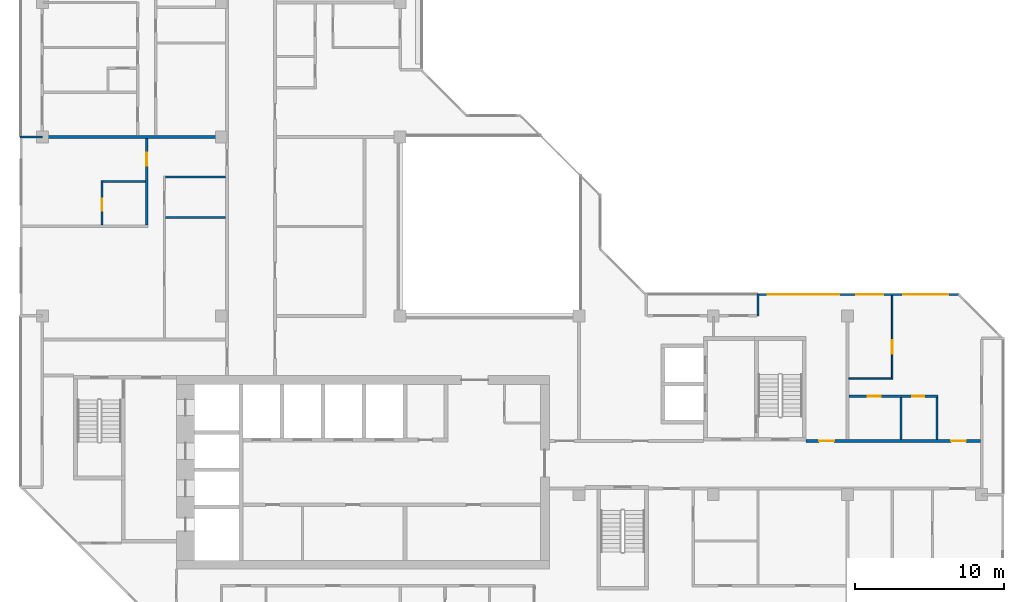
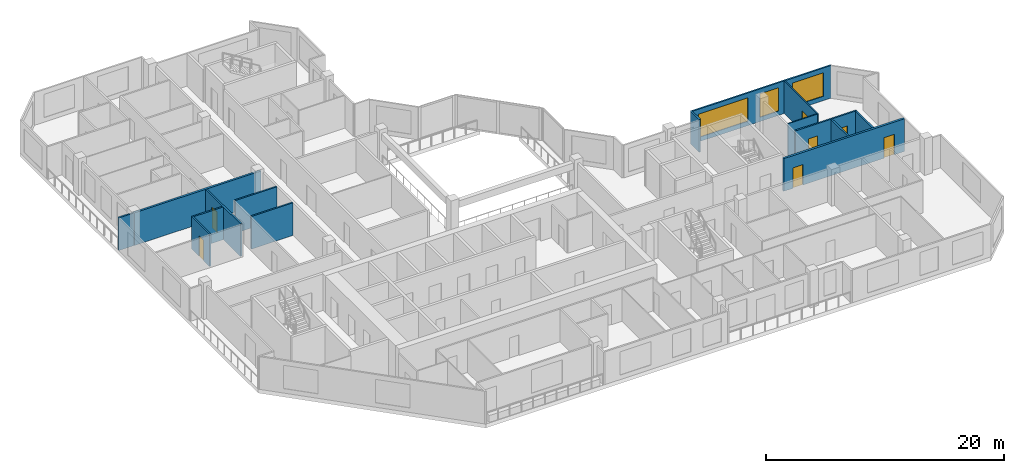
# One storey, part 8 of 13: 15 walls, 7 doors, 3 windows, 10 openings.
"""IFC4 building model written with IfcOpenShell, lengths in metres."""

from ifc_helpers import new_model, si_unit, direction, frame, frame_2d, origin, place, context, subcontext, project, spatial, rectangle, extrude, material, layer, layer_set, type_object, element, fill, save


model = new_model("IFC4")

# Units and contexts
model_context = context("Model", 3, precision=1e-05, world=origin(), true_north=direction((0.0, 1.0)))
body_context = subcontext(model_context, "Body", "Model", "MODEL_VIEW")
ifc_project = project(units=[si_unit("LENGTHUNIT", "METRE"), si_unit("AREAUNIT", "SQUARE_METRE"), si_unit("VOLUMEUNIT", "CUBIC_METRE"), si_unit("PLANEANGLEUNIT", "RADIAN"), si_unit("MASSUNIT", "GRAM", prefix="KILO")], contexts=[model_context])

# Site, building, storey
site_placement = place(None, origin())
site = spatial("IfcSite", under=ifc_project, at=site_placement, CompositionType="ELEMENT")
building_placement = place(site_placement, origin())
building = spatial("IfcBuilding", under=site, at=building_placement, Name="Chenar Terraces", CompositionType="ELEMENT")
storey_placement = place(building_placement, frame((0.0, 0.0, 299.64990234375)))
storey = spatial("IfcBuildingStorey", under=building, at=storey_placement, Name="L70", CompositionType="ELEMENT", Elevation=299.64990234375)

# Wall, openings, doors
ifc_material_1 = material(Name="Gypsum board on steel studs with fire boards", Category="steel")
ifc_layer_1 = layer(ifc_material_1, 0.199951171875)
ifc_layer_set_1 = layer_set([ifc_layer_1], Name="Gypsum board on steel studs with fire boards")
wall_type_1 = type_object("IfcWallType", Name="Corridor wall 200", PredefinedType="PARTITIONING", material=ifc_layer_set_1)
wall_1_placement = place(storey_placement, frame((51.22509765625, 15.60009765625, 0.0), z_axis=(0.0, 0.0, 1.0), x_axis=(1.0, 0.0, 0.0)))
wall_1 = element("IfcWall", 1, at=wall_1_placement, inside=storey, type_object=wall_type_1, Name="Partition L70-064", PredefinedType="PARTITIONING", context=body_context, shape_type="SweptSolid", body=[
    extrude(rectangle(XDim=11.700927734375, YDim=0.199951171875, at=frame_2d((5.8505859375, 0.0))), origin(), (0.0, 0.0, 1.0), 3.35009765625),
])
opening_1_placement = place(wall_1_placement, frame((9.72509765625, 0.0, 0.0)))
opening_1 = element("IfcOpeningElement", 2, at=opening_1_placement, cuts=wall_1, Name="Opening DL70-7", PredefinedType="OPENING", context=body_context, shape_type="SweptSolid", body=[
    extrude(rectangle(XDim=1.0, YDim=2.10009765625, at=frame_2d((0.5, 1.050048828125))), frame((0.0, 0.10986328125, 0.0), z_axis=(0.0, -1.0, 0.0), x_axis=(1.0, 0.0, 0.0)), (0.0, 0.0, 1.0), 0.219970703125),
])
opening_2_placement = place(wall_1_placement, frame((0.875, 0.0, 0.0)))
opening_2 = element("IfcOpeningElement", 3, at=opening_2_placement, cuts=wall_1, Name="Opening DL70-30", PredefinedType="OPENING", context=body_context, shape_type="SweptSolid", body=[
    extrude(rectangle(XDim=1.0, YDim=2.10009765625, at=frame_2d((0.5, 1.050048828125))), frame((0.0, 0.10986328125, 0.0), z_axis=(0.0, -1.0, 0.0), x_axis=(1.0, 0.0, 0.0)), (0.0, 0.0, 1.0), 0.219970703125),
])
ifc_material_2 = material(Name="Steel-framed fire-resisting door leaf", Category="steel")
door_type_1 = type_object("IfcDoorType", Name="Fire door FD30S 1000 x 2100", OperationType="SINGLE_SWING_LEFT", PredefinedType="DOOR", material=ifc_material_2)
door_1_placement = place(opening_1_placement, origin())
door_1 = element("IfcDoor", 4, at=door_1_placement, inside=storey, type_object=door_type_1, Name="Door DL70-7", OperationType="SINGLE_SWING_LEFT", OverallHeight=2.10009765625, OverallWidth=1.0, PredefinedType="DOOR", context=body_context, shape_type="SweptSolid", body=[
    extrude(rectangle(XDim=1.0, YDim=2.10009765625, at=frame_2d((0.5, 1.050048828125))), frame((0.0, 0.02490234375, 0.0), z_axis=(0.0, -1.0, 0.0), x_axis=(1.0, 0.0, 0.0)), (0.0, 0.0, 1.0), 0.050048828125),
])
fill(opening_1, door_1)
door_2_placement = place(opening_2_placement, origin())
door_2 = element("IfcDoor", 5, at=door_2_placement, inside=storey, type_object=door_type_1, Name="Door DL70-30", OperationType="SINGLE_SWING_RIGHT", OverallHeight=2.10009765625, OverallWidth=1.0, PredefinedType="DOOR", context=body_context, shape_type="SweptSolid", body=[
    extrude(rectangle(XDim=1.0, YDim=2.10009765625, at=frame_2d((0.5, 1.050048828125))), frame((0.0, 0.02490234375, 0.0), z_axis=(0.0, -1.0, 0.0), x_axis=(1.0, 0.0, 0.0)), (0.0, 0.0, 1.0), 0.050048828125),
])
fill(opening_2, door_2)

# Wall, openings, windows
ifc_material_3 = material(Name="Aluminium framed glazing", Category="aluminium")
ifc_layer_2 = layer(ifc_material_3, 0.14990234375)
ifc_layer_set_2 = layer_set([ifc_layer_2], Name="Aluminium framed glazing")
wall_type_2 = type_object("IfcWallType", Name="Glazed flush facade wall 150", PredefinedType="SOLIDWALL", material=ifc_layer_set_2)
wall_2_placement = place(storey_placement, frame((61.5, 25.425048828125, 0.0), z_axis=(0.0, 0.0, 1.0), x_axis=(-1.0, 0.0, 0.0)))
wall_2 = element("IfcWall", 6, at=wall_2_placement, inside=storey, type_object=wall_type_2, Name="Glazed flush facade wall", PredefinedType="SOLIDWALL", context=body_context, shape_type="SweptSolid", body=[
    extrude(rectangle(XDim=13.425048828125, YDim=0.14990234375, at=frame_2d((6.71240234375, 0.0))), origin(), (0.0, 0.0, 1.0), 3.35009765625),
])
opening_3_placement = place(wall_2_placement, frame((0.75, 0.0, 0.449951171875)))
opening_3 = element("IfcOpeningElement", 7, at=opening_3_placement, cuts=wall_2, Name="Opening W300x240", PredefinedType="OPENING", context=body_context, shape_type="SweptSolid", body=[
    extrude(rectangle(XDim=3.0, YDim=2.39990234375, at=frame_2d((1.5, 1.199951171875))), frame((0.0, 0.0849609375, 0.0), z_axis=(0.0, -1.0, 0.0), x_axis=(1.0, 0.0, 0.0)), (0.0, 0.0, 1.0), 0.169921875),
])
opening_4_placement = place(wall_2_placement, frame((5.10009765625, 0.0, 0.449951171875)))
opening_4 = element("IfcOpeningElement", 8, at=opening_4_placement, cuts=wall_2, Name="Opening W180x240", PredefinedType="OPENING", context=body_context, shape_type="SweptSolid", body=[
    extrude(rectangle(XDim=1.800048828125, YDim=2.39990234375, at=frame_2d((0.89990234375, 1.199951171875))), frame((0.0, 0.0849609375, 0.0), z_axis=(0.0, -1.0, 0.0), x_axis=(1.0, 0.0, 0.0)), (0.0, 0.0, 1.0), 0.169921875),
])
opening_5_placement = place(wall_2_placement, frame((8.0625, 0.0, 0.449951171875)))
opening_5 = element("IfcOpeningElement", 9, at=opening_5_placement, cuts=wall_2, Name="Opening W480x240", PredefinedType="OPENING", context=body_context, shape_type="SweptSolid", body=[
    extrude(rectangle(XDim=4.800048828125, YDim=2.39990234375, at=frame_2d((2.39990234375, 1.199951171875))), frame((0.0, 0.0849609375, 0.0), z_axis=(0.0, -1.0, 0.0), x_axis=(1.0, 0.0, 0.0)), (0.0, 0.0, 1.0), 0.169921875),
])
ifc_material_4 = material(Name="Low emissivity double glazing, aluminium frame", Category="aluminium")
window_type_1 = type_object("IfcWindowType", Name="Fixed light 1800 x 2400", PartitioningType="SINGLE_PANEL", PredefinedType="WINDOW", material=ifc_material_4)
window_1_placement = place(opening_4_placement, origin())
window_1 = element("IfcWindow", 10, at=window_1_placement, inside=storey, type_object=window_type_1, Name="Window", OverallHeight=2.39990234375, OverallWidth=1.800048828125, PartitioningType="SINGLE_PANEL", PredefinedType="WINDOW", context=body_context, shape_type="SweptSolid", body=[
    extrude(rectangle(XDim=1.800048828125, YDim=2.39990234375, at=frame_2d((0.89990234375, 1.199951171875))), frame((0.0, 0.030029296875, 0.0), z_axis=(0.0, -1.0, 0.0), x_axis=(1.0, 0.0, 0.0)), (0.0, 0.0, 1.0), 0.06005859375),
])
fill(opening_4, window_1)
ifc_material_5 = material(Name="Low emissivity double glazing, aluminium frame", Category="aluminium")
window_type_2 = type_object("IfcWindowType", Name="Fixed light 3000 x 2400", PartitioningType="SINGLE_PANEL", PredefinedType="WINDOW", material=ifc_material_5)
window_2_placement = place(opening_3_placement, origin())
window_2 = element("IfcWindow", 11, at=window_2_placement, inside=storey, type_object=window_type_2, Name="Window", OverallHeight=2.39990234375, OverallWidth=3.0, PartitioningType="SINGLE_PANEL", PredefinedType="WINDOW", context=body_context, shape_type="SweptSolid", body=[
    extrude(rectangle(XDim=3.0, YDim=2.39990234375, at=frame_2d((1.5, 1.199951171875))), frame((0.0, 0.030029296875, 0.0), z_axis=(0.0, -1.0, 0.0), x_axis=(1.0, 0.0, 0.0)), (0.0, 0.0, 1.0), 0.06005859375),
])
fill(opening_3, window_2)
ifc_material_6 = material(Name="Low emissivity double glazing, aluminium frame", Category="aluminium")
window_type_3 = type_object("IfcWindowType", Name="Fixed light 4800 x 2400", PartitioningType="SINGLE_PANEL", PredefinedType="WINDOW", material=ifc_material_6)
window_3_placement = place(opening_5_placement, origin())
window_3 = element("IfcWindow", 12, at=window_3_placement, inside=storey, type_object=window_type_3, Name="Window", OverallHeight=2.39990234375, OverallWidth=4.800048828125, PartitioningType="SINGLE_PANEL", PredefinedType="WINDOW", context=body_context, shape_type="SweptSolid", body=[
    extrude(rectangle(XDim=4.800048828125, YDim=2.39990234375, at=frame_2d((2.39990234375, 1.199951171875))), frame((0.0, 0.030029296875, 0.0), z_axis=(0.0, -1.0, 0.0), x_axis=(1.0, 0.0, 0.0)), (0.0, 0.0, 1.0), 0.06005859375),
])
fill(opening_5, window_3)

# Wall
ifc_material_7 = material(Name="Gypsum board on steel studs", Category="steel")
ifc_layer_3 = layer(ifc_material_7, 0.10009765625)
ifc_layer_set_3 = layer_set([ifc_layer_3], Name="Gypsum board on steel studs")
wall_type_3 = type_object("IfcWallType", Name="Gypsum partition 100", PredefinedType="PARTITIONING", material=ifc_layer_set_3)
wall_3_placement = place(storey_placement, frame((54.10009765625, 19.800048828125, 0.0), z_axis=(0.0, 0.0, 1.0), x_axis=(1.0, 0.0, 0.0)))
element("IfcWall", 13, at=wall_3_placement, inside=storey, type_object=wall_type_3, Name="Partition L70-071", PredefinedType="PARTITIONING", context=body_context, shape_type="SweptSolid", body=[
    extrude(rectangle(XDim=2.849853515625, YDim=0.10009765625, at=frame_2d((1.4248046875, 0.0))), origin(), (0.0, 0.0, 1.0), 3.35009765625),
])

# Wall, opening, door
wall_4_placement = place(storey_placement, frame((57.0, 19.75, 0.0), z_axis=(0.0, 0.0, 1.0), x_axis=(0.0, 1.0, 0.0)))
wall_4 = element("IfcWall", 14, at=wall_4_placement, inside=storey, type_object=wall_type_3, Name="Partition L70-074", PredefinedType="PARTITIONING", context=body_context, shape_type="SweptSolid", body=[
    extrude(rectangle(XDim=5.60009765625, YDim=0.10009765625, at=frame_2d((2.800048828125, 0.0))), origin(), (0.0, 0.0, 1.0), 3.35009765625),
])
opening_6_placement = place(wall_4_placement, frame((1.699951171875, 0.0, 0.0)))
opening_6 = element("IfcOpeningElement", 15, at=opening_6_placement, cuts=wall_4, Name="Opening DL70-5", PredefinedType="OPENING", context=body_context, shape_type="SweptSolid", body=[
    extrude(rectangle(XDim=0.89990234375, YDim=2.10009765625, at=frame_2d((0.449951171875, 1.050048828125))), frame((0.0, 0.06005859375, 0.0), z_axis=(0.0, -1.0, 0.0), x_axis=(1.0, 0.0, 0.0)), (0.0, 0.0, 1.0), 0.1201171875),
])
ifc_material_8 = material(Name="Veneered timber door leaf", Category="wood")
door_type_2 = type_object("IfcDoorType", Name="Door 900 x 2100", OperationType="SINGLE_SWING_LEFT", PredefinedType="DOOR", material=ifc_material_8)
door_3_placement = place(opening_6_placement, origin())
door_3 = element("IfcDoor", 16, at=door_3_placement, inside=storey, type_object=door_type_2, Name="Door DL70-5", OperationType="SINGLE_SWING_LEFT", OverallHeight=2.10009765625, OverallWidth=0.89990234375, PredefinedType="DOOR", context=body_context, shape_type="SweptSolid", body=[
    extrude(rectangle(XDim=0.89990234375, YDim=2.10009765625, at=frame_2d((0.449951171875, 1.050048828125))), frame((0.0, 0.02490234375, 0.0), z_axis=(0.0, -1.0, 0.0), x_axis=(1.0, 0.0, 0.0)), (0.0, 0.0, 1.0), 0.050048828125),
])
fill(opening_6, door_3)

# Walls
ifc_material_9 = material(Name="Terracotta cladding on insulated backing", Category="masonry")
ifc_layer_4 = layer(ifc_material_9, 0.14990234375)
ifc_layer_set_4 = layer_set([ifc_layer_4], Name="Terracotta cladding on insulated backing")
wall_type_4 = type_object("IfcWallType", Name="Loggia return wall 150", PredefinedType="SOLIDWALL", material=ifc_layer_set_4)
for number, where, z_axis, x_axis, name in (
    (17, (48.0, 25.5, 0.0), (0.0, 0.0, 1.0), (0.0, -1.0, 0.0), "Loggia return wall"),
    (18, (-1.5, 36.0, 0.0), (0.0, 0.0, 1.0), (1.0, 0.0, 0.0), "Loggia return wall"),
):
    element("IfcWall", number, at=place(storey_placement, frame(where, z_axis=z_axis, x_axis=x_axis)), inside=storey, type_object=wall_type_4, Name=name, PredefinedType="SOLIDWALL", context=body_context, shape_type="SweptSolid", body=[
        extrude(rectangle(XDim=1.5, YDim=0.14990234375, at=frame_2d((0.75, 0.0))), origin(), (0.0, 0.0, 1.0), 3.35009765625),
    ])
ifc_material_10 = material(Name="Twin gypsum board on steel studs with mineral wool", Category="steel")
ifc_layer_5 = layer(ifc_material_10, 0.199951171875)
ifc_layer_set_5 = layer_set([ifc_layer_5], Name="Twin gypsum board on steel studs with mineral wool")
wall_type_5 = type_object("IfcWallType", Name="Unit demising wall 200", PredefinedType="PARTITIONING", material=ifc_layer_set_5)
wall_5_placement = place(storey_placement, frame((0.0, 36.0, 0.0), z_axis=(0.0, 0.0, 1.0), x_axis=(1.0, 0.0, 0.0)))
element("IfcWall", 19, at=wall_5_placement, inside=storey, type_object=wall_type_5, Name="Partition L70-002", PredefinedType="PARTITIONING", context=body_context, shape_type="SweptSolid", body=[
    extrude(rectangle(XDim=12.300048828125, YDim=0.199951171875, at=frame_2d((6.14990234375, 0.0))), origin(), (0.0, 0.0, 1.0), 3.35009765625),
])

# Wall, opening, door
ifc_material_11 = material(Name="Moisture-resistant gypsum board on steel studs", Category="steel")
ifc_layer_6 = layer(ifc_material_11, 0.14990234375)
ifc_layer_set_6 = layer_set([ifc_layer_6], Name="Moisture-resistant gypsum board on steel studs")
wall_type_6 = type_object("IfcWallType", Name="Wet-room partition 150", PredefinedType="PARTITIONING", material=ifc_layer_set_6)
wall_6_placement = place(storey_placement, frame((4.0, 30.074951171875, 0.0), z_axis=(0.0, 0.0, 1.0), x_axis=(0.0, 1.0, 0.0)))
wall_6 = element("IfcWall", 20, at=wall_6_placement, inside=storey, type_object=wall_type_6, Name="Partition L70-012", PredefinedType="PARTITIONING", context=body_context, shape_type="SweptSolid", body=[
    extrude(rectangle(XDim=3.0, YDim=0.14990234375, at=frame_2d((1.5, 0.0))), origin(), (0.0, 0.0, 1.0), 3.35009765625),
])
opening_7_placement = place(wall_6_placement, frame((0.97509765625, 0.0, 0.0)))
opening_7 = element("IfcOpeningElement", 21, at=opening_7_placement, cuts=wall_6, Name="Opening DL70-50", PredefinedType="OPENING", context=body_context, shape_type="SweptSolid", body=[
    extrude(rectangle(XDim=0.800048828125, YDim=2.10009765625, at=frame_2d((0.39990234375, 1.050048828125))), frame((0.0, 0.0849609375, 0.0), z_axis=(0.0, -1.0, 0.0), x_axis=(1.0, 0.0, 0.0)), (0.0, 0.0, 1.0), 0.169921875),
])
ifc_material_12 = material(Name="Veneered timber door leaf", Category="wood")
door_type_3 = type_object("IfcDoorType", Name="Door 800 x 2100", OperationType="SINGLE_SWING_LEFT", PredefinedType="DOOR", material=ifc_material_12)
door_4_placement = place(opening_7_placement, frame((0.800048828125, 0.0, 0.0), z_axis=(0.0, 0.0, 1.0), x_axis=(-1.0, 0.0, 0.0)))
door_4 = element("IfcDoor", 22, at=door_4_placement, inside=storey, type_object=door_type_3, Name="Door DL70-50", OperationType="SINGLE_SWING_RIGHT", OverallHeight=2.10009765625, OverallWidth=0.800048828125, PredefinedType="DOOR", context=body_context, shape_type="SweptSolid", body=[
    extrude(rectangle(XDim=0.800048828125, YDim=2.10009765625, at=frame_2d((0.39990234375, 1.050048828125))), frame((0.0, 0.02490234375, 0.0), z_axis=(0.0, -1.0, 0.0), x_axis=(1.0, 0.0, 0.0)), (0.0, 0.0, 1.0), 0.050048828125),
])
fill(opening_7, door_4)

# Wall
wall_7_placement = place(storey_placement, frame((4.074951171875, 33.0, 0.0), z_axis=(0.0, 0.0, 1.0), x_axis=(1.0, 0.0, 0.0)))
element("IfcWall", 23, at=wall_7_placement, inside=storey, type_object=wall_type_6, Name="Partition L70-013", PredefinedType="PARTITIONING", context=body_context, shape_type="SweptSolid", body=[
    extrude(rectangle(XDim=2.85009765625, YDim=0.14990234375, at=frame_2d((1.425048828125, 0.0))), origin(), (0.0, 0.0, 1.0), 3.35009765625),
])

# Wall, opening, door
wall_8_placement = place(storey_placement, frame((7.0, 30.074951171875, 0.0), z_axis=(0.0, 0.0, 1.0), x_axis=(0.0, 1.0, 0.0)))
wall_8 = element("IfcWall", 24, at=wall_8_placement, inside=storey, type_object=wall_type_6, Name="Partition L70-018", PredefinedType="PARTITIONING", context=body_context, shape_type="SweptSolid", body=[
    extrude(rectangle(XDim=5.824951171875, YDim=0.14990234375, at=frame_2d((2.91259765625, 0.0))), origin(), (0.0, 0.0, 1.0), 3.35009765625),
])
opening_8_placement = place(wall_8_placement, frame((3.97509765625, 0.0, 0.0)))
opening_8 = element("IfcOpeningElement", 25, at=opening_8_placement, cuts=wall_8, Name="Opening DL70-49", PredefinedType="OPENING", context=body_context, shape_type="SweptSolid", body=[
    extrude(rectangle(XDim=0.89990234375, YDim=2.10009765625, at=frame_2d((0.449951171875, 1.050048828125))), frame((0.0, 0.0849609375, 0.0), z_axis=(0.0, -1.0, 0.0), x_axis=(1.0, 0.0, 0.0)), (0.0, 0.0, 1.0), 0.169921875),
])
door_5_placement = place(opening_8_placement, origin())
door_5 = element("IfcDoor", 26, at=door_5_placement, inside=storey, type_object=door_type_2, Name="Door DL70-49", OperationType="SINGLE_SWING_RIGHT", OverallHeight=2.10009765625, OverallWidth=0.89990234375, PredefinedType="DOOR", context=body_context, shape_type="SweptSolid", body=[
    extrude(rectangle(XDim=0.89990234375, YDim=2.10009765625, at=frame_2d((0.449951171875, 1.050048828125))), frame((0.0, 0.02490234375, 0.0), z_axis=(0.0, -1.0, 0.0), x_axis=(1.0, 0.0, 0.0)), (0.0, 0.0, 1.0), 0.050048828125),
])
fill(opening_8, door_5)

# Walls
for number, where, z_axis, x_axis, name in (
    (27, (8.27490234375, 30.60009765625, 0.0), (0.0, 0.0, 1.0), (1.0, 0.0, 0.0), "Partition L70-025"),
    (28, (8.27490234375, 33.300048828125, 0.0), (0.0, 0.0, 1.0), (1.0, 0.0, 0.0), "Partition L70-026"),
):
    element("IfcWall", number, at=place(storey_placement, frame(where, z_axis=z_axis, x_axis=x_axis)), inside=storey, type_object=wall_type_6, Name=name, PredefinedType="PARTITIONING", context=body_context, shape_type="SweptSolid", body=[
        extrude(rectangle(XDim=4.025146484375, YDim=0.14990234375, at=frame_2d((2.0126953125, 0.0))), origin(), (0.0, 0.0, 1.0), 3.35009765625),
    ])

# Wall, openings, doors
wall_9_placement = place(storey_placement, frame((54.10009765625, 18.60009765625, 0.0), z_axis=(0.0, 0.0, 1.0), x_axis=(1.0, 0.0, 0.0)))
wall_9 = element("IfcWall", 29, at=wall_9_placement, inside=storey, type_object=wall_type_6, Name="Partition L70-070", PredefinedType="PARTITIONING", context=body_context, shape_type="SweptSolid", body=[
    extrude(rectangle(XDim=5.974853515625, YDim=0.14990234375, at=frame_2d((2.9873046875, 0.0))), origin(), (0.0, 0.0, 1.0), 3.35009765625),
])
opening_9_placement = place(wall_9_placement, frame((4.25, 0.0, 0.0)))
opening_9 = element("IfcOpeningElement", 30, at=opening_9_placement, cuts=wall_9, Name="Opening DL70-4", PredefinedType="OPENING", context=body_context, shape_type="SweptSolid", body=[
    extrude(rectangle(XDim=0.800048828125, YDim=2.10009765625, at=frame_2d((0.39990234375, 1.050048828125))), frame((0.0, 0.0849609375, 0.0), z_axis=(0.0, -1.0, 0.0), x_axis=(1.0, 0.0, 0.0)), (0.0, 0.0, 1.0), 0.169921875),
])
opening_10_placement = place(wall_9_placement, frame((1.25, 0.0, 0.0)))
opening_10 = element("IfcOpeningElement", 31, at=opening_10_placement, cuts=wall_9, Name="Opening DL70-6", PredefinedType="OPENING", context=body_context, shape_type="SweptSolid", body=[
    extrude(rectangle(XDim=0.89990234375, YDim=2.10009765625, at=frame_2d((0.449951171875, 1.050048828125))), frame((0.0, 0.0849609375, 0.0), z_axis=(0.0, -1.0, 0.0), x_axis=(1.0, 0.0, 0.0)), (0.0, 0.0, 1.0), 0.169921875),
])
door_6_placement = place(opening_9_placement, frame((0.800048828125, 0.0, 0.0), z_axis=(0.0, 0.0, 1.0), x_axis=(-1.0, 0.0, 0.0)))
door_6 = element("IfcDoor", 32, at=door_6_placement, inside=storey, type_object=door_type_3, Name="Door DL70-4", OperationType="SINGLE_SWING_RIGHT", OverallHeight=2.10009765625, OverallWidth=0.800048828125, PredefinedType="DOOR", context=body_context, shape_type="SweptSolid", body=[
    extrude(rectangle(XDim=0.800048828125, YDim=2.10009765625, at=frame_2d((0.39990234375, 1.050048828125))), frame((0.0, 0.02490234375, 0.0), z_axis=(0.0, -1.0, 0.0), x_axis=(1.0, 0.0, 0.0)), (0.0, 0.0, 1.0), 0.050048828125),
])
fill(opening_9, door_6)
door_7_placement = place(opening_10_placement, frame((0.89990234375, 0.0, 0.0), z_axis=(0.0, 0.0, 1.0), x_axis=(-1.0, 0.0, 0.0)))
door_7 = element("IfcDoor", 33, at=door_7_placement, inside=storey, type_object=door_type_2, Name="Door DL70-6", OperationType="SINGLE_SWING_LEFT", OverallHeight=2.10009765625, OverallWidth=0.89990234375, PredefinedType="DOOR", context=body_context, shape_type="SweptSolid", body=[
    extrude(rectangle(XDim=0.89990234375, YDim=2.10009765625, at=frame_2d((0.449951171875, 1.050048828125))), frame((0.0, 0.02490234375, 0.0), z_axis=(0.0, -1.0, 0.0), x_axis=(1.0, 0.0, 0.0)), (0.0, 0.0, 1.0), 0.050048828125),
])
fill(opening_10, door_7)

# Walls
for number, where, z_axis, x_axis, name in (
    (34, (57.60009765625, 15.699951171875, 0.0), (0.0, 0.0, 1.0), (0.0, 1.0, 0.0), "Partition L70-075"),
    (35, (60.0, 15.699951171875, 0.0), (0.0, 0.0, 1.0), (0.0, 1.0, 0.0), "Partition L70-077"),
):
    element("IfcWall", number, at=place(storey_placement, frame(where, z_axis=z_axis, x_axis=x_axis)), inside=storey, type_object=wall_type_6, Name=name, PredefinedType="PARTITIONING", context=body_context, shape_type="SweptSolid", body=[
        extrude(rectangle(XDim=2.824951171875, YDim=0.14990234375, at=frame_2d((1.41259765625, 0.0))), origin(), (0.0, 0.0, 1.0), 3.35009765625),
    ])

save(model, "model.ifc")
